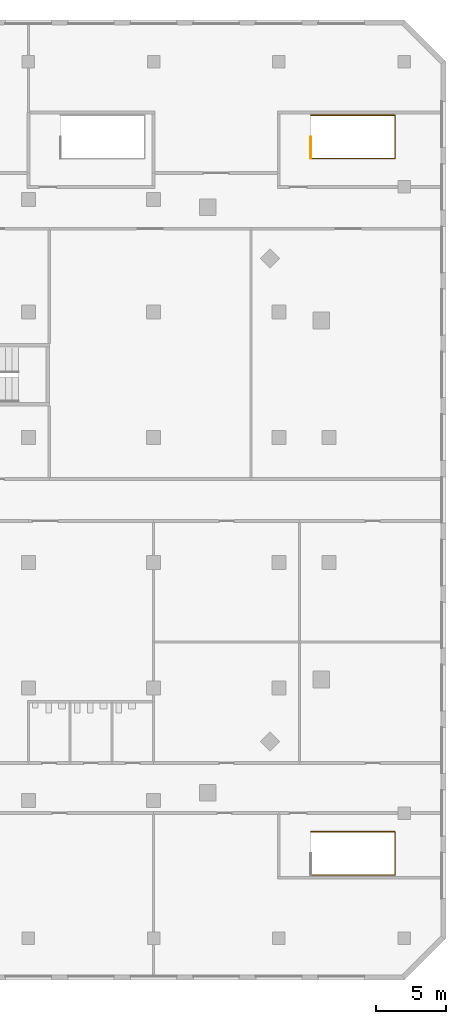
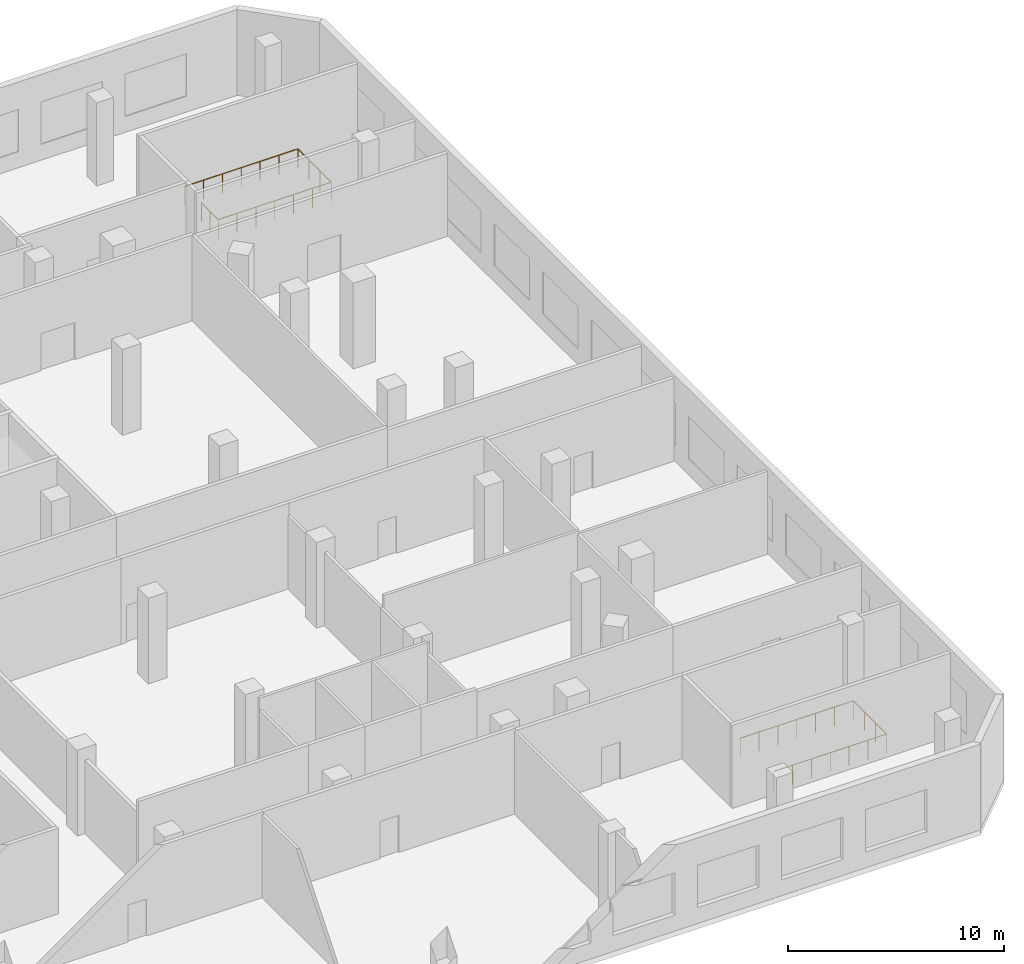
# One storey, part 19 of 20: 3 railings.
"""IFC4 building model written with IfcOpenShell, lengths in metres."""

from ifc_helpers import new_model, si_unit, direction, frame, origin, origin_2d, place, context, subcontext, project, spatial, circle, extrude, material, type_object, element, save


model = new_model("IFC4")

# Units and contexts
model_context = context("Model", 3, precision=1e-05, world=origin(), true_north=direction((0.0, 1.0)))
body_context = subcontext(model_context, "Body", "Model", "MODEL_VIEW")
ifc_project = project(units=[si_unit("LENGTHUNIT", "METRE"), si_unit("AREAUNIT", "SQUARE_METRE"), si_unit("VOLUMEUNIT", "CUBIC_METRE"), si_unit("PLANEANGLEUNIT", "RADIAN"), si_unit("MASSUNIT", "GRAM", prefix="KILO")], contexts=[model_context])

# Site, building, storey
site_placement = place(None, origin())
site = spatial("IfcSite", under=ifc_project, at=site_placement, CompositionType="ELEMENT")
building_placement = place(site_placement, origin())
building = spatial("IfcBuilding", under=site, at=building_placement, Name="Cinnabar Reach Civic Tower", CompositionType="ELEMENT")
storey_placement = place(building_placement, frame((0.0, 0.0, 21.0)))
storey = spatial("IfcBuildingStorey", under=building, at=storey_placement, Name="L04", CompositionType="ELEMENT", Elevation=21.0)

# Railings
ifc_material = material(Name="Stainless steel and glass", Category="steel")
railing_type = type_object("IfcRailingType", Name="Podium guard 1100", PredefinedType="GUARDRAIL", material=ifc_material)
railing_1_placement = place(storey_placement, frame((56.3, -4.45, 0.0)))
element("IfcRailing", 1, at=railing_1_placement, inside=storey, type_object=railing_type, Name="Stair well guard PS4 L04", PredefinedType="GUARDRAIL", context=body_context, shape_type="SweptSolid", body=[
    extrude(circle(Radius=0.024, at=origin_2d()), frame((0.0, 0.0, 1.076), z_axis=(1.0, 0.0, 0.0), x_axis=(0.0, 1.0, 0.0)), (0.0, 0.0, 1.0), 6.05),
    extrude(circle(Radius=0.024, at=origin_2d()), frame((6.05, 0.0, 1.076), z_axis=(0.0, 1.0, 0.0), x_axis=(-1.0, 0.0, 0.0)), (0.0, 0.0, 1.0), 3.1),
    extrude(circle(Radius=0.024, at=origin_2d()), frame((6.05, 3.1, 1.076), z_axis=(-1.0, 0.0, 0.0), x_axis=(0.0, -1.0, 0.0)), (0.0, 0.0, 1.0), 6.05),
    extrude(circle(Radius=0.021, at=origin_2d()), origin(), (0.0, 0.0, 1.0), 1.052),
    extrude(circle(Radius=0.021, at=origin_2d()), frame((1.0083, 0.0, 0.0)), (0.0, 0.0, 1.0), 1.052),
    extrude(circle(Radius=0.021, at=origin_2d()), frame((2.0167, 0.0, 0.0)), (0.0, 0.0, 1.0), 1.052),
    extrude(circle(Radius=0.021, at=origin_2d()), frame((3.025, 0.0, 0.0)), (0.0, 0.0, 1.0), 1.052),
    extrude(circle(Radius=0.021, at=origin_2d()), frame((4.0333, 0.0, 0.0)), (0.0, 0.0, 1.0), 1.052),
    extrude(circle(Radius=0.021, at=origin_2d()), frame((5.0417, 0.0, 0.0)), (0.0, 0.0, 1.0), 1.052),
    extrude(circle(Radius=0.021, at=origin_2d()), frame((6.05, 0.0, 0.0)), (0.0, 0.0, 1.0), 1.052),
    extrude(circle(Radius=0.021, at=origin_2d()), frame((6.05, 1.0333, 0.0)), (0.0, 0.0, 1.0), 1.052),
    extrude(circle(Radius=0.021, at=origin_2d()), frame((6.05, 2.0667, 0.0)), (0.0, 0.0, 1.0), 1.052),
    extrude(circle(Radius=0.021, at=origin_2d()), frame((6.05, 3.1, 0.0)), (0.0, 0.0, 1.0), 1.052),
    extrude(circle(Radius=0.021, at=origin_2d()), frame((5.0417, 3.1, 0.0)), (0.0, 0.0, 1.0), 1.052),
    extrude(circle(Radius=0.021, at=origin_2d()), frame((4.0333, 3.1, 0.0)), (0.0, 0.0, 1.0), 1.052),
    extrude(circle(Radius=0.021, at=origin_2d()), frame((3.025, 3.1, 0.0)), (0.0, 0.0, 1.0), 1.052),
    extrude(circle(Radius=0.021, at=origin_2d()), frame((2.0167, 3.1, 0.0)), (0.0, 0.0, 1.0), 1.052),
    extrude(circle(Radius=0.021, at=origin_2d()), frame((1.0083, 3.1, 0.0)), (0.0, 0.0, 1.0), 1.052),
    extrude(circle(Radius=0.021, at=origin_2d()), frame((0.0, 3.1, 0.0)), (0.0, 0.0, 1.0), 1.052),
])
railing_2_placement = place(storey_placement, frame((56.3, 47.05, 0.0)))
element("IfcRailing", 2, at=railing_2_placement, inside=storey, type_object=railing_type, Name="Stair well guard PS5 L04", PredefinedType="GUARDRAIL", context=body_context, shape_type="SweptSolid", body=[
    extrude(circle(Radius=0.024, at=origin_2d()), frame((0.0, 0.0, 1.076), z_axis=(1.0, 0.0, 0.0), x_axis=(0.0, 1.0, 0.0)), (0.0, 0.0, 1.0), 6.05),
    extrude(circle(Radius=0.024, at=origin_2d()), frame((6.05, 0.0, 1.076), z_axis=(0.0, 1.0, 0.0), x_axis=(-1.0, 0.0, 0.0)), (0.0, 0.0, 1.0), 3.1),
    extrude(circle(Radius=0.024, at=origin_2d()), frame((6.05, 3.1, 1.076), z_axis=(-1.0, 0.0, 0.0), x_axis=(0.0, -1.0, 0.0)), (0.0, 0.0, 1.0), 6.05),
    extrude(circle(Radius=0.021, at=origin_2d()), origin(), (0.0, 0.0, 1.0), 1.052),
    extrude(circle(Radius=0.021, at=origin_2d()), frame((1.0083, 0.0, 0.0)), (0.0, 0.0, 1.0), 1.052),
    extrude(circle(Radius=0.021, at=origin_2d()), frame((2.0167, 0.0, 0.0)), (0.0, 0.0, 1.0), 1.052),
    extrude(circle(Radius=0.021, at=origin_2d()), frame((3.025, 0.0, 0.0)), (0.0, 0.0, 1.0), 1.052),
    extrude(circle(Radius=0.021, at=origin_2d()), frame((4.0333, 0.0, 0.0)), (0.0, 0.0, 1.0), 1.052),
    extrude(circle(Radius=0.021, at=origin_2d()), frame((5.0417, 0.0, 0.0)), (0.0, 0.0, 1.0), 1.052),
    extrude(circle(Radius=0.021, at=origin_2d()), frame((6.05, 0.0, 0.0)), (0.0, 0.0, 1.0), 1.052),
    extrude(circle(Radius=0.021, at=origin_2d()), frame((6.05, 1.0333, 0.0)), (0.0, 0.0, 1.0), 1.052),
    extrude(circle(Radius=0.021, at=origin_2d()), frame((6.05, 2.0667, 0.0)), (0.0, 0.0, 1.0), 1.052),
    extrude(circle(Radius=0.021, at=origin_2d()), frame((6.05, 3.1, 0.0)), (0.0, 0.0, 1.0), 1.052),
    extrude(circle(Radius=0.021, at=origin_2d()), frame((5.0417, 3.1, 0.0)), (0.0, 0.0, 1.0), 1.052),
    extrude(circle(Radius=0.021, at=origin_2d()), frame((4.0333, 3.1, 0.0)), (0.0, 0.0, 1.0), 1.052),
    extrude(circle(Radius=0.021, at=origin_2d()), frame((3.025, 3.1, 0.0)), (0.0, 0.0, 1.0), 1.052),
    extrude(circle(Radius=0.021, at=origin_2d()), frame((2.0167, 3.1, 0.0)), (0.0, 0.0, 1.0), 1.052),
    extrude(circle(Radius=0.021, at=origin_2d()), frame((1.0083, 3.1, 0.0)), (0.0, 0.0, 1.0), 1.052),
    extrude(circle(Radius=0.021, at=origin_2d()), frame((0.0, 3.1, 0.0)), (0.0, 0.0, 1.0), 1.052),
])
railing_3_placement = place(storey_placement, frame((56.3, 47.05, 0.0)))
element("IfcRailing", 3, at=railing_3_placement, inside=storey, type_object=railing_type, Name="Stair top guard PS5 L04", PredefinedType="GUARDRAIL", context=body_context, shape_type="SweptSolid", body=[
    extrude(circle(Radius=0.024, at=origin_2d()), frame((0.0, 0.0, 1.076), z_axis=(0.0, 1.0, 0.0), x_axis=(-1.0, 0.0, 0.0)), (0.0, 0.0, 1.0), 1.55),
    extrude(circle(Radius=0.021, at=origin_2d()), origin(), (0.0, 0.0, 1.0), 1.052),
    extrude(circle(Radius=0.021, at=origin_2d()), frame((0.0, 0.775, 0.0)), (0.0, 0.0, 1.0), 1.052),
    extrude(circle(Radius=0.021, at=origin_2d()), frame((0.0, 1.55, 0.0)), (0.0, 0.0, 1.0), 1.052),
])

save(model, "model.ifc")
